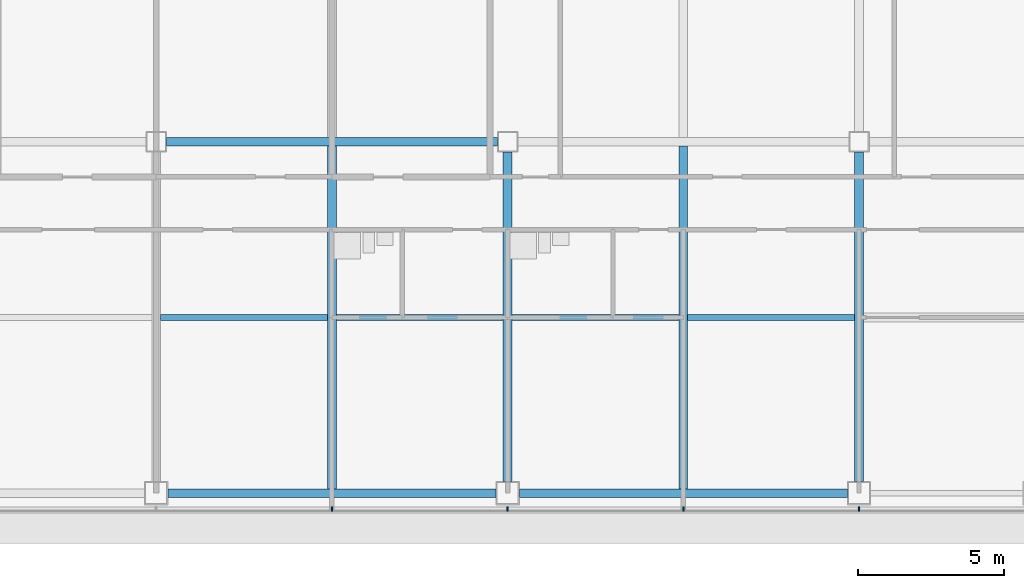
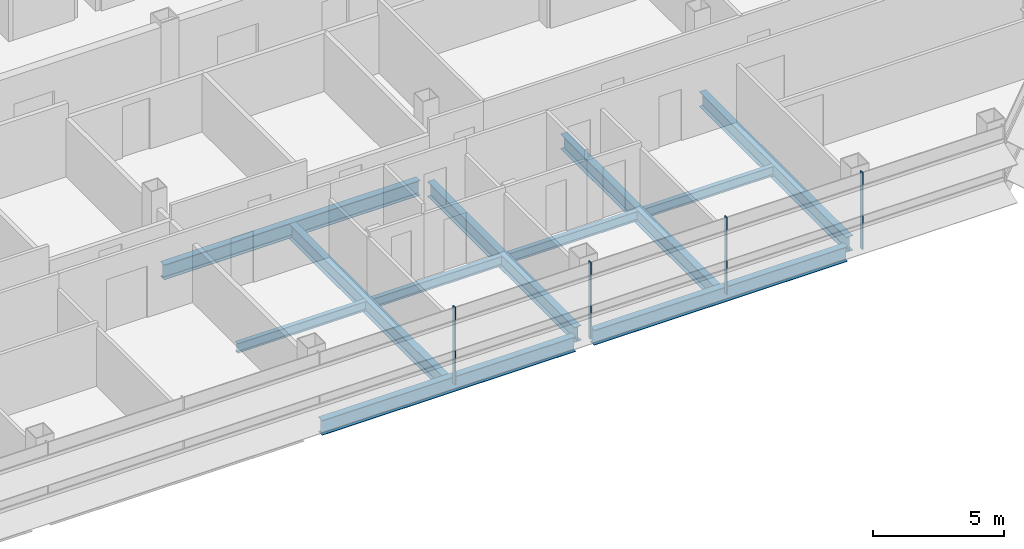
# One storey, part 8 of 25: 11 beams, 4 members, 1 element without a shape of its own.
"""IFC4 building model written with IfcOpenShell, lengths in metres."""

from ifc_helpers import new_model, si_unit, direction, frame, origin, origin_2d, place, context, subcontext, project, spatial, rectangle, i_section, extrude, material, material_profile, profile_set, type_object, element, aggregate, save


model = new_model("IFC4")

# Units and contexts
model_context = context("Model", 3, precision=1e-05, world=origin(), true_north=direction((0.0, 1.0)))
body_context = subcontext(model_context, "Body", "Model", "MODEL_VIEW")
ifc_project = project(units=[si_unit("LENGTHUNIT", "METRE"), si_unit("AREAUNIT", "SQUARE_METRE"), si_unit("VOLUMEUNIT", "CUBIC_METRE"), si_unit("PLANEANGLEUNIT", "RADIAN"), si_unit("MASSUNIT", "GRAM", prefix="KILO")], contexts=[model_context])

# Site, building, storey
site_placement = place(None, origin())
site = spatial("IfcSite", under=ifc_project, at=site_placement, CompositionType="ELEMENT")
building_placement = place(site_placement, origin())
building = spatial("IfcBuilding", under=site, at=building_placement, Name="Sorahane Residences", CompositionType="ELEMENT")
storey_placement = place(building_placement, frame((0.0, 0.0, 119.60009765625)))
storey = spatial("IfcBuildingStorey", under=building, at=storey_placement, Name="L26", CompositionType="ELEMENT", Elevation=119.60009765625)

# Curtain wall, members
ifc_material_1 = material(Name="Dark low-e glass and black anodised aluminium", Category="aluminium")
curtain_wall_type = type_object("IfcCurtainWallType", Name="Curtain wall CW-1 Typical unitised wall", PredefinedType="NOTDEFINED", material=ifc_material_1)
curtain_wall_placement = place(storey_placement, origin())
curtain_wall = element("IfcCurtainWall", 1, at=curtain_wall_placement, inside=storey, type_object=curtain_wall_type, Name="CW-1 curtain wall L26 S1", PredefinedType="NOTDEFINED")
ifc_material_2 = material(Name="Black anodised aluminium", Category="aluminium")
ifc_material_profile_1 = material_profile(ifc_material_2, rectangle(XDim=0.159912109375, YDim=0.050048828125, at=origin_2d()), Name="Curtain wall mullion CW-1 black anodised aluminium 50x160")
ifc_profile_set_1 = profile_set([ifc_material_profile_1], Name="Black anodised aluminium")
member_type = type_object("IfcMemberType", Name="Curtain wall mullion CW-1 black anodised aluminium 50x160", PredefinedType="MULLION", material=ifc_profile_set_1)
member_1_placement = place(storey_placement, frame((30.0, -0.5400390625, -0.18017578125), z_axis=(0.0, 0.0, 1.0), x_axis=(0.0, -1.0, 0.0)))
member_1 = element("IfcMember", 2, at=member_1_placement, type_object=member_type, Name="CW-1 mullion L26 S1.6", PredefinedType="MULLION", context=body_context, shape_type="SweptSolid", body=[
    extrude(rectangle(XDim=0.159912109375, YDim=0.050048828125, at=origin_2d()), origin(), (0.0, 0.0, 1.0), 3.60009765625),
])
member_2_placement = place(storey_placement, frame((36.0, -0.5400390625, -0.18017578125), z_axis=(0.0, 0.0, 1.0), x_axis=(0.0, -1.0, 0.0)))
member_2 = element("IfcMember", 3, at=member_2_placement, type_object=member_type, Name="CW-1 mullion L26 S1.7", PredefinedType="MULLION", context=body_context, shape_type="SweptSolid", body=[
    extrude(rectangle(XDim=0.159912109375, YDim=0.050048828125, at=origin_2d()), origin(), (0.0, 0.0, 1.0), 3.60009765625),
])
member_3_placement = place(storey_placement, frame((42.0, -0.5400390625, -0.18017578125), z_axis=(0.0, 0.0, 1.0), x_axis=(0.0, -1.0, 0.0)))
member_3 = element("IfcMember", 4, at=member_3_placement, type_object=member_type, Name="CW-1 mullion L26 S1.8", PredefinedType="MULLION", context=body_context, shape_type="SweptSolid", body=[
    extrude(rectangle(XDim=0.159912109375, YDim=0.050048828125, at=origin_2d()), origin(), (0.0, 0.0, 1.0), 3.60009765625),
])
member_4_placement = place(storey_placement, frame((48.0, -0.5400390625, -0.18017578125), z_axis=(0.0, 0.0, 1.0), x_axis=(0.0, -1.0, 0.0)))
member_4 = element("IfcMember", 5, at=member_4_placement, type_object=member_type, Name="CW-1 mullion L26 S1.9", PredefinedType="MULLION", context=body_context, shape_type="SweptSolid", body=[
    extrude(rectangle(XDim=0.159912109375, YDim=0.050048828125, at=origin_2d()), origin(), (0.0, 0.0, 1.0), 3.60009765625),
])
aggregate(curtain_wall, [member_1, member_2, member_3, member_4])

# Beams
ifc_material_3 = material(Name="Steel Q355B", Category="steel")
ifc_material_profile_2 = material_profile(ifc_material_3, i_section(OverallWidth=0.199951171875, OverallDepth=0.449951171875, WebThickness=0.009033203125, FlangeThickness=0.013916015625, FilletRadius=0.02001953125, at=origin_2d()), Name="HN 450x200x9x14")
ifc_profile_set_2 = profile_set([ifc_material_profile_2], Name="Steel Q355B")
beam_type_1 = type_object("IfcBeamType", Name="Steel floor beam HN 450x200x9x14 Q355B", PredefinedType="BEAM", material=ifc_profile_set_2)
for number, where, z_axis, x_axis, name in (
    (6, (24.14990234375, 6.0, -0.405029296875), (1.0, 0.0, 0.0), (0.0, 1.0, 0.0), "Beam L26 073"),
    (7, (30.14990234375, 6.0, -0.405029296875), (1.0, 0.0, 0.0), (0.0, 1.0, 0.0), "Beam L26 074"),
    (8, (36.14990234375, 6.0, -0.405029296875), (1.0, 0.0, 0.0), (0.0, 1.0, 0.0), "Beam L26 075"),
    (9, (42.14990234375, 6.0, -0.405029296875), (1.0, 0.0, 0.0), (0.0, 1.0, 0.0), "Beam L26 076"),
):
    element("IfcBeam", number, at=place(storey_placement, frame(where, z_axis=z_axis, x_axis=x_axis)), inside=storey, type_object=beam_type_1, Name=name, PredefinedType="BEAM", context=body_context, shape_type="SweptSolid", body=[
        extrude(i_section(OverallWidth=0.199951171875, OverallDepth=0.449951171875, WebThickness=0.009033203125, FlangeThickness=0.013916015625, FilletRadius=0.02001953125, at=origin_2d()), origin(), (0.0, 0.0, 1.0), 5.7001953125),
    ])
ifc_material_4 = material(Name="Steel Q355B", Category="steel")
ifc_material_profile_3 = material_profile(ifc_material_4, i_section(OverallWidth=0.300048828125, OverallDepth=0.699951171875, WebThickness=0.012939453125, FlangeThickness=0.02392578125, FilletRadius=0.028076171875, at=origin_2d()), Name="HN 700x300x13x24")
ifc_profile_set_3 = profile_set([ifc_material_profile_3], Name="Steel Q355B")
beam_type_2 = type_object("IfcBeamType", Name="Steel floor beam HN 700x300x13x24 Q355B", PredefinedType="BEAM", material=ifc_profile_set_3)
for number, where, z_axis, x_axis, name in (
    (10, (24.39990234375, 0.0, -0.530029296875), (1.0, 0.0, 0.0), (0.0, 1.0, 0.0), "Beam L26 002"),
    (11, (36.39990234375, 0.0, -0.530029296875), (1.0, 0.0, 0.0), (0.0, 1.0, 0.0), "Beam L26 003"),
):
    element("IfcBeam", number, at=place(storey_placement, frame(where, z_axis=z_axis, x_axis=x_axis)), inside=storey, type_object=beam_type_2, Name=name, PredefinedType="BEAM", context=body_context, shape_type="SweptSolid", body=[
        extrude(i_section(OverallWidth=0.300048828125, OverallDepth=0.699951171875, WebThickness=0.012939453125, FlangeThickness=0.02392578125, FilletRadius=0.028076171875, at=origin_2d()), origin(), (0.0, 0.0, 1.0), 11.2001953125),
    ])
beam_1_placement = place(storey_placement, frame((24.35009765625, 12.0, -0.530029296875), z_axis=(1.0, 0.0, 0.0), x_axis=(0.0, 1.0, 0.0)))
element("IfcBeam", 12, at=beam_1_placement, inside=storey, type_object=beam_type_2, Name="Beam L26 008", PredefinedType="BEAM", context=body_context, shape_type="SweptSolid", body=[
    extrude(i_section(OverallWidth=0.300048828125, OverallDepth=0.699951171875, WebThickness=0.012939453125, FlangeThickness=0.02392578125, FilletRadius=0.028076171875, at=origin_2d()), origin(), (0.0, 0.0, 1.0), 11.2998046875),
])
beam_2_placement = place(storey_placement, frame((30.0, 0.14990234375, -0.530029296875), z_axis=(0.0, 1.0, 0.0), x_axis=(-1.0, 0.0, 0.0)))
element("IfcBeam", 13, at=beam_2_placement, inside=storey, type_object=beam_type_2, Name="Beam L26 044", PredefinedType="BEAM", context=body_context, shape_type="SweptSolid", body=[
    extrude(i_section(OverallWidth=0.300048828125, OverallDepth=0.699951171875, WebThickness=0.012939453125, FlangeThickness=0.02392578125, FilletRadius=0.028076171875, at=origin_2d()), origin(), (0.0, 0.0, 1.0), 11.7001953125),
])
beam_3_placement = place(storey_placement, frame((36.0, 0.39990234375, -0.530029296875), z_axis=(0.0, 1.0, 0.0), x_axis=(-1.0, 0.0, 0.0)))
element("IfcBeam", 14, at=beam_3_placement, inside=storey, type_object=beam_type_2, Name="Beam L26 050", PredefinedType="BEAM", context=body_context, shape_type="SweptSolid", body=[
    extrude(i_section(OverallWidth=0.300048828125, OverallDepth=0.699951171875, WebThickness=0.012939453125, FlangeThickness=0.02392578125, FilletRadius=0.028076171875, at=origin_2d()), origin(), (0.0, 0.0, 1.0), 11.25),
])
beam_4_placement = place(storey_placement, frame((42.0, 0.14990234375, -0.530029296875), z_axis=(0.0, 1.0, 0.0), x_axis=(-1.0, 0.0, 0.0)))
element("IfcBeam", 15, at=beam_4_placement, inside=storey, type_object=beam_type_2, Name="Beam L26 052", PredefinedType="BEAM", context=body_context, shape_type="SweptSolid", body=[
    extrude(i_section(OverallWidth=0.300048828125, OverallDepth=0.699951171875, WebThickness=0.012939453125, FlangeThickness=0.02392578125, FilletRadius=0.028076171875, at=origin_2d()), origin(), (0.0, 0.0, 1.0), 11.7001953125),
])
beam_5_placement = place(storey_placement, frame((48.0, 0.39990234375, -0.530029296875), z_axis=(0.0, 1.0, 0.0), x_axis=(-1.0, 0.0, 0.0)))
element("IfcBeam", 16, at=beam_5_placement, inside=storey, type_object=beam_type_2, Name="Beam L26 058", PredefinedType="BEAM", context=body_context, shape_type="SweptSolid", body=[
    extrude(i_section(OverallWidth=0.300048828125, OverallDepth=0.699951171875, WebThickness=0.012939453125, FlangeThickness=0.02392578125, FilletRadius=0.028076171875, at=origin_2d()), origin(), (0.0, 0.0, 1.0), 11.25),
])

save(model, "model.ifc")
